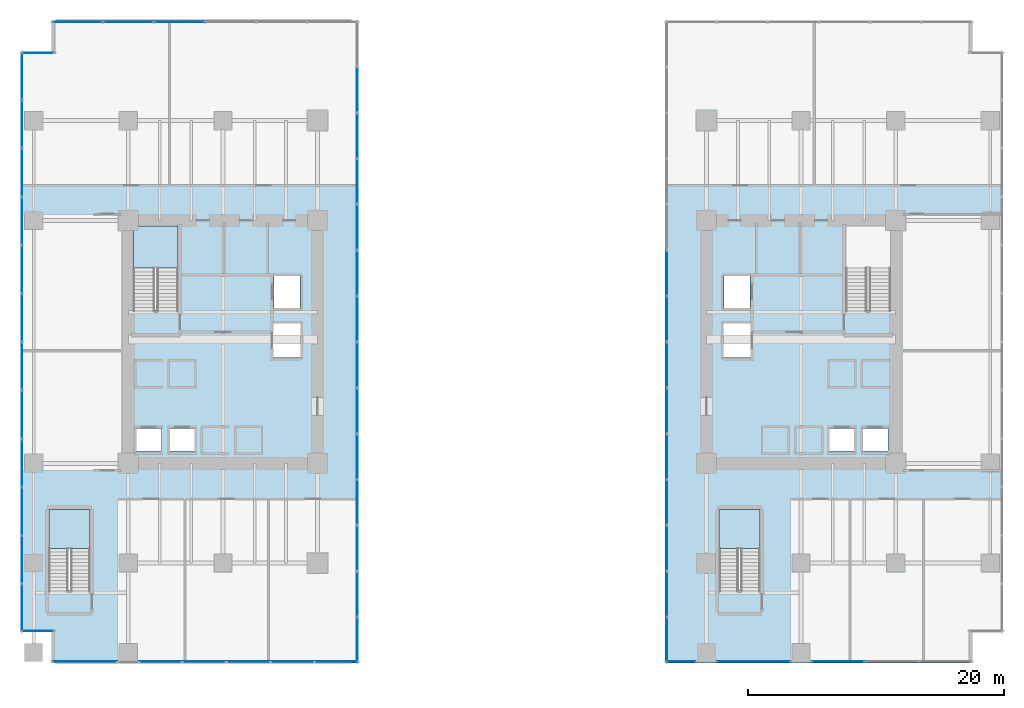
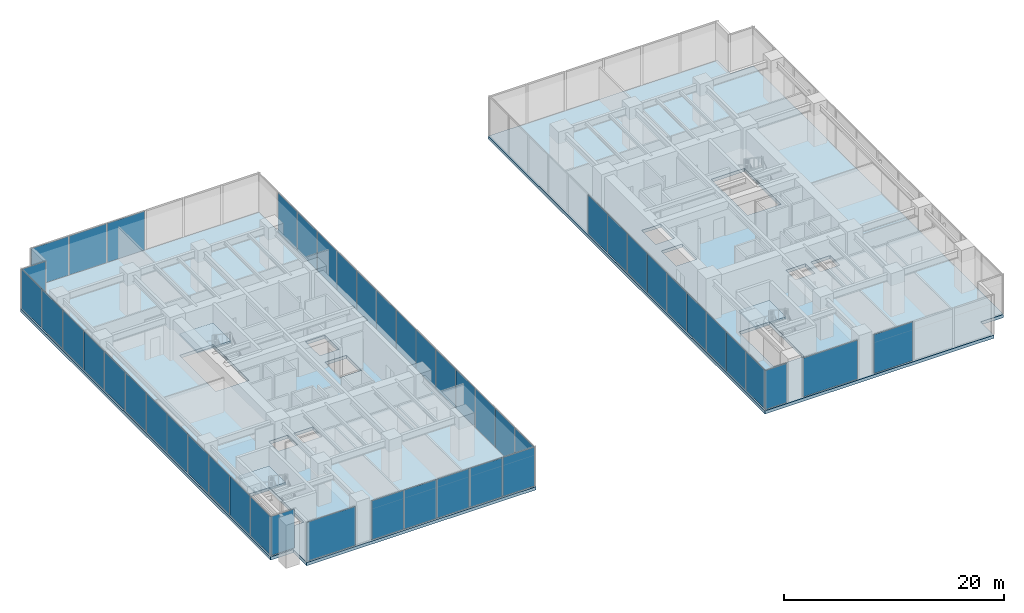
# One storey, part 23 of 33: 48 plates, 5 slabs, 14 elements without a shape of their own.
"""IFC4 building model written with IfcOpenShell, lengths in metres."""

from ifc_helpers import new_model, si_unit, direction, frame, origin, origin_2d, place, context, subcontext, project, spatial, polyline, rectangle, outline, extrude, source, transform, mapped, material, layer, layer_set, type_object, type_shapes, element, aggregate, save


model = new_model("IFC4")

# Units and contexts
model_context = context("Model", 3, precision=1e-05, world=origin(), true_north=direction((0.0, 1.0)))
body_context = subcontext(model_context, "Body", "Model", "MODEL_VIEW")
ifc_project = project(units=[si_unit("LENGTHUNIT", "METRE"), si_unit("AREAUNIT", "SQUARE_METRE"), si_unit("VOLUMEUNIT", "CUBIC_METRE"), si_unit("PLANEANGLEUNIT", "RADIAN"), si_unit("MASSUNIT", "GRAM", prefix="KILO")], contexts=[model_context])

# Site, building, storey
site_placement = place(None, origin())
site = spatial("IfcSite", under=ifc_project, at=site_placement, CompositionType="ELEMENT")
building_placement = place(site_placement, origin())
building = spatial("IfcBuilding", under=site, at=building_placement, Name="Haelvirn Gate Laboratories", CompositionType="ELEMENT")
storey_placement = place(building_placement, frame((0.0, 0.0, 10.199951171875)))
storey = spatial("IfcBuildingStorey", under=building, at=storey_placement, Name="L03", CompositionType="ELEMENT", Elevation=10.199951171875)

# Slabs
ifc_material_1 = material(Name="Concrete C50/60", Category="concrete")
ifc_layer_1 = layer(ifc_material_1, 0.35009765625, Name="SL-POD-350")
ifc_layer_set_1 = layer_set([ifc_layer_1], Name="Concrete C50/60")
slab_type_1 = type_object("IfcSlabType", Name="SL-POD-350", PredefinedType="FLOOR", material=ifc_layer_set_1)
slab_1_placement = place(storey_placement, frame((0.0, 0.0, -0.349853515625)))
element("IfcSlab", 1, at=slab_1_placement, inside=storey, type_object=slab_type_1, Name="L03 Structural Slab W", PredefinedType="FLOOR", context=body_context, shape_type="SweptSolid", body=[
    extrude(outline(polyline([(1.39990234375, -0.800048828125), (25.39990234375, -0.800048828125), (25.39990234375, 49.39990234375), (1.39990234375, 49.39990234375), (1.39990234375, 47.0), (-1.0, 47.0), (-1.0, 1.60009765625), (1.39990234375, 1.60009765625), (1.39990234375, -0.800048828125)]), holes=[polyline([(11.300048828125, 26.780029296875), (11.300048828125, 33.35009765625), (7.800048828125, 33.35009765625), (7.800048828125, 26.780029296875), (11.300048828125, 26.780029296875)]), polyline([(4.39990234375, 4.8798828125), (4.39990234375, 11.199951171875), (1.199951171875, 11.199951171875), (1.199951171875, 4.8798828125), (4.39990234375, 4.8798828125)]), polyline([(7.989990234375, 15.77001953125), (10.010009765625, 15.77001953125), (10.010009765625, 17.510009765625), (7.989990234375, 17.510009765625), (7.989990234375, 15.77001953125)]), polyline([(10.590087890625, 15.77001953125), (12.610107421875, 15.77001953125), (12.610107421875, 17.510009765625), (10.590087890625, 17.510009765625), (10.590087890625, 15.77001953125)]), polyline([(18.7900390625, 26.969970703125), (20.81005859375, 26.969970703125), (20.81005859375, 29.510009765625), (18.7900390625, 29.510009765625), (18.7900390625, 26.969970703125)]), polyline([(18.68994140625, 23.070068359375), (20.909912109375, 23.070068359375), (20.909912109375, 25.81005859375), (18.68994140625, 25.81005859375), (18.68994140625, 23.070068359375)])]), origin(), (0.0, 0.0, 1.0), 0.349853515625),
])
slab_2_placement = place(storey_placement, frame((0.0, 0.0, -0.349853515625)))
element("IfcSlab", 2, at=slab_2_placement, inside=storey, type_object=slab_type_1, Name="L03 Structural Slab E", PredefinedType="FLOOR", context=body_context, shape_type="SweptSolid", body=[
    extrude(outline(polyline([(49.39990234375, -0.800048828125), (73.39990234375, -0.800048828125), (73.39990234375, 1.60009765625), (75.800048828125, 1.60009765625), (75.800048828125, 47.0), (73.39990234375, 47.0), (73.39990234375, 49.39990234375), (49.39990234375, 49.39990234375), (49.39990234375, -0.800048828125)]), holes=[polyline([(67.0, 26.780029296875), (67.0, 33.35009765625), (63.5, 33.35009765625), (63.5, 26.780029296875), (67.0, 26.780029296875)]), polyline([(56.800048828125, 4.8798828125), (56.800048828125, 11.199951171875), (53.60009765625, 11.199951171875), (53.60009765625, 4.8798828125), (56.800048828125, 4.8798828125)]), polyline([(64.7900390625, 15.77001953125), (66.81005859375, 15.77001953125), (66.81005859375, 17.510009765625), (64.7900390625, 17.510009765625), (64.7900390625, 15.77001953125)]), polyline([(62.18994140625, 15.77001953125), (64.2099609375, 15.77001953125), (64.2099609375, 17.510009765625), (62.18994140625, 17.510009765625), (62.18994140625, 15.77001953125)]), polyline([(53.989990234375, 26.969970703125), (56.010009765625, 26.969970703125), (56.010009765625, 29.510009765625), (53.989990234375, 29.510009765625), (53.989990234375, 26.969970703125)]), polyline([(53.889892578125, 23.070068359375), (56.110107421875, 23.070068359375), (56.110107421875, 25.81005859375), (53.889892578125, 25.81005859375), (53.889892578125, 23.070068359375)])]), origin(), (0.0, 0.0, 1.0), 0.349853515625),
])

# Stair, slab
ifc_material_2 = material(Name="Concrete C40/50", Category="concrete")
stair_type_1 = type_object("IfcStairType", Name="ST-DOG-1650-R26", PredefinedType="HALF_TURN_STAIR", material=ifc_material_2)
stair_1_placement = place(storey_placement, origin())
stair_1 = element("IfcStair", 3, at=stair_1_placement, inside=storey, type_object=stair_type_1, Name="L03 Escape Stair ST1", PredefinedType="HALF_TURN_STAIR")
ifc_layer_2 = layer(ifc_material_2, 0.199951171875, Name="SL-STAIR-LND")
ifc_layer_set_2 = layer_set([ifc_layer_2], Name="Concrete C40/50")
slab_type_2 = type_object("IfcSlabType", Name="SL-STAIR-LND", PredefinedType="LANDING", material=ifc_layer_set_2)
slab_3_placement = place(storey_placement, frame((0.0, 0.0, 2.199951171875)))
slab_3 = element("IfcSlab", 4, at=slab_3_placement, type_object=slab_type_2, Name="ST1 landing 1", PredefinedType="LANDING", context=body_context, shape_type="SweptSolid", body=[
    extrude(outline(polyline([(11.300048828125, 30.06005859375), (11.300048828125, 33.35009765625), (7.800048828125, 33.35009765625), (7.800048828125, 30.06005859375), (11.300048828125, 30.06005859375)])), origin(), (0.0, 0.0, 1.0), 0.2001953125),
])
aggregate(stair_1, [slab_3])

stair_type_2 = type_object("IfcStairType", Name="ST-DOG-1500-R26", PredefinedType="HALF_TURN_STAIR", material=ifc_material_2)
stair_2_placement = place(storey_placement, origin())
stair_2 = element("IfcStair", 5, at=stair_2_placement, inside=storey, type_object=stair_type_2, Name="L03 Escape Stair ST3", PredefinedType="HALF_TURN_STAIR")
slab_4_placement = place(storey_placement, frame((0.0, 0.0, 2.199951171875)))
slab_4 = element("IfcSlab", 6, at=slab_4_placement, type_object=slab_type_2, Name="ST3 landing 1", PredefinedType="LANDING", context=body_context, shape_type="SweptSolid", body=[
    extrude(outline(polyline([(4.39990234375, 8.159912109375), (4.39990234375, 11.199951171875), (1.199951171875, 11.199951171875), (1.199951171875, 8.159912109375), (4.39990234375, 8.159912109375)])), origin(), (0.0, 0.0, 1.0), 0.2001953125),
])
aggregate(stair_2, [slab_4])

stair_3_placement = place(storey_placement, origin())
stair_3 = element("IfcStair", 7, at=stair_3_placement, inside=storey, type_object=stair_type_2, Name="L03 Escape Stair ST4", PredefinedType="HALF_TURN_STAIR")
slab_5_placement = place(storey_placement, frame((0.0, 0.0, 2.199951171875)))
slab_5 = element("IfcSlab", 8, at=slab_5_placement, type_object=slab_type_2, Name="ST4 landing 1", PredefinedType="LANDING", context=body_context, shape_type="SweptSolid", body=[
    extrude(outline(polyline([(56.800048828125, 8.159912109375), (56.800048828125, 11.199951171875), (53.60009765625, 11.199951171875), (53.60009765625, 8.159912109375), (56.800048828125, 8.159912109375)])), origin(), (0.0, 0.0, 1.0), 0.2001953125),
])
aggregate(stair_3, [slab_5])

# Curtain wall, plate
ifc_material_3 = material(Name="Anodised bronze unitised aluminium & triple low-E glass", Category="aluminium")
ifc_layer_3 = layer(ifc_material_3, 0.18798828125, Name="CW-SYS-1")
ifc_layer_set_3 = layer_set([ifc_layer_3], Name="Anodised bronze unitised aluminium & triple low-E glass")
curtain_wall_type_1 = type_object("IfcCurtainWallType", Name="CW-SYS-1", PredefinedType="NOTDEFINED", material=ifc_layer_set_3)
curtain_wall_1_placement = place(storey_placement, origin())
curtain_wall_1 = element("IfcCurtainWall", 9, at=curtain_wall_1_placement, inside=storey, type_object=curtain_wall_type_1, Name="L03 Unitised Curtain Wall CW-L03-P0-E00-1-S1", PredefinedType="NOTDEFINED")
ifc_material_4 = material(Name="Bronze solar-control triple low-E IGU 48 mm", Category="glass")
ifc_layer_4 = layer(ifc_material_4, 0.048095703125, Name="CWP-IGU-48")
ifc_layer_set_4 = layer_set([ifc_layer_4], Name="Bronze solar-control triple low-E IGU 48 mm")
plate_type_1 = type_object("IfcPlateType", Name="CWP-IGU-48", PredefinedType="CURTAIN_PANEL", material=ifc_layer_set_4)
shared_shape_1 = source(origin(), body_context, "Body", "SweptSolid", [
    extrude(rectangle(XDim=5.06005859375, YDim=0.048095703125, at=origin_2d()), origin(), (0.0, 0.0, 1.0), 4.31005859375),
])
plate_1_placement = place(storey_placement, frame((4.010009765625, -0.699951171875, 0.070068359375), z_axis=(0.0, 0.0, 1.0), x_axis=(1.0, 0.0, 0.0)))
plate_1 = element("IfcPlate", 10, at=plate_1_placement, type_object=plate_type_1, Name="CW1 panel 1.1", PredefinedType="CURTAIN_PANEL", context=body_context, shape_type="MappedRepresentation", body=[
    mapped(shared_shape_1, transform((0.0, 0.0, 0.0), scale=1.0)),
])
aggregate(curtain_wall_1, [plate_1])

# Curtain wall, plates
curtain_wall_2_placement = place(storey_placement, origin())
curtain_wall_2 = element("IfcCurtainWall", 11, at=curtain_wall_2_placement, inside=storey, type_object=curtain_wall_type_1, Name="L03 Unitised Curtain Wall CW-L03-P0-E00-1-S2", PredefinedType="NOTDEFINED")
shared_shape_2 = source(origin(), body_context, "Body", "SweptSolid", [
    extrude(rectangle(XDim=3.323974609375, YDim=0.048095703125, at=origin_2d()), origin(), (0.0, 0.0, 1.0), 4.31005859375),
])
plate_2_placement = place(storey_placement, frame((9.922119140625, -0.699951171875, 0.070068359375), z_axis=(0.0, 0.0, 1.0), x_axis=(1.0, 0.0, 0.0)))
plate_2 = element("IfcPlate", 12, at=plate_2_placement, type_object=plate_type_1, Name="CW1 panel 1.1", PredefinedType="CURTAIN_PANEL", context=body_context, shape_type="MappedRepresentation", body=[
    mapped(shared_shape_2, transform((0.0, 0.0, 0.0), scale=1.0)),
])
plate_3_placement = place(storey_placement, frame((23.657958984375, -0.699951171875, 0.070068359375), z_axis=(0.0, 0.0, 1.0), x_axis=(1.0, 0.0, 0.0)))
plate_3 = element("IfcPlate", 13, at=plate_3_placement, type_object=plate_type_1, Name="CW1 panel 5.1", PredefinedType="CURTAIN_PANEL", context=body_context, shape_type="MappedRepresentation", body=[
    mapped(shared_shape_2, transform((0.0, 0.0, 0.0), scale=1.0)),
])
shared_shape_3 = source(origin(), body_context, "Body", "SweptSolid", [
    extrude(rectangle(XDim=3.364013671875, YDim=0.048095703125, at=origin_2d()), origin(), (0.0, 0.0, 1.0), 4.31005859375),
])
plate_4_placement = place(storey_placement, frame((13.345947265625, -0.699951171875, 0.070068359375), z_axis=(0.0, 0.0, 1.0), x_axis=(1.0, 0.0, 0.0)))
plate_4 = element("IfcPlate", 14, at=plate_4_placement, type_object=plate_type_1, Name="CW1 panel 2.1", PredefinedType="CURTAIN_PANEL", context=body_context, shape_type="MappedRepresentation", body=[
    mapped(shared_shape_3, transform((0.0, 0.0, 0.0), scale=1.0)),
])
plate_5_placement = place(storey_placement, frame((16.7900390625, -0.699951171875, 0.070068359375), z_axis=(0.0, 0.0, 1.0), x_axis=(1.0, 0.0, 0.0)))
plate_5 = element("IfcPlate", 15, at=plate_5_placement, type_object=plate_type_1, Name="CW1 panel 3.1", PredefinedType="CURTAIN_PANEL", context=body_context, shape_type="MappedRepresentation", body=[
    mapped(shared_shape_3, transform((0.0, 0.0, 0.0), scale=1.0)),
])
plate_6_placement = place(storey_placement, frame((20.23388671875, -0.699951171875, 0.070068359375), z_axis=(0.0, 0.0, 1.0), x_axis=(1.0, 0.0, 0.0)))
plate_6 = element("IfcPlate", 16, at=plate_6_placement, type_object=plate_type_1, Name="CW1 panel 4.1", PredefinedType="CURTAIN_PANEL", context=body_context, shape_type="MappedRepresentation", body=[
    mapped(shared_shape_3, transform((0.0, 0.0, 0.0), scale=1.0)),
])
aggregate(curtain_wall_2, [plate_2, plate_4, plate_5, plate_6, plate_3])

# Curtain wall, plate
curtain_wall_3_placement = place(storey_placement, origin())
curtain_wall_3 = element("IfcCurtainWall", 17, at=curtain_wall_3_placement, inside=storey, type_object=curtain_wall_type_1, Name="L03 Unitised Curtain Wall CW-L03-P0-E01", PredefinedType="NOTDEFINED")
shared_shape_4 = source(origin(), body_context, "Body", "SweptSolid", [
    extrude(rectangle(XDim=3.4658203125, YDim=0.048095703125, at=origin_2d()), origin(), (0.0, 0.0, 1.0), 4.31005859375),
])
plate_7_placement = place(storey_placement, frame((25.300048828125, 1.012939453125, 0.070068359375), z_axis=(0.0, 0.0, 1.0), x_axis=(0.0, 1.0, 0.0)))
plate_7 = element("IfcPlate", 18, at=plate_7_placement, type_object=plate_type_1, Name="CW1 panel 1.1", PredefinedType="CURTAIN_PANEL", context=body_context, shape_type="MappedRepresentation", body=[
    mapped(shared_shape_4, transform((0.0, 0.0, 0.0), scale=1.0)),
])

curtain_wall_4_placement = place(storey_placement, origin())
curtain_wall_4 = element("IfcCurtainWall", 19, at=curtain_wall_4_placement, inside=storey, type_object=curtain_wall_type_1, Name="L03 Unitised Curtain Wall CW-L03-P1-E07", PredefinedType="NOTDEFINED")
plate_8_placement = place(storey_placement, frame((49.5, 1.012939453125, 0.070068359375), z_axis=(0.0, 0.0, 1.0), x_axis=(0.0, -1.0, 0.0)))
plate_8 = element("IfcPlate", 20, at=plate_8_placement, type_object=plate_type_1, Name="CW1 panel 14.1", PredefinedType="CURTAIN_PANEL", context=body_context, shape_type="MappedRepresentation", body=[
    mapped(shared_shape_4, transform((0.0, 0.0, 0.0), scale=1.0)),
])

# Plate
shared_shape_5 = source(origin(), body_context, "Body", "SweptSolid", [
    extrude(rectangle(XDim=3.505615234375, YDim=0.048095703125, at=origin_2d()), origin(), (0.0, 0.0, 1.0), 4.31005859375),
])
plate_9_placement = place(storey_placement, frame((25.300048828125, 4.57861328125, 0.070068359375), z_axis=(0.0, 0.0, 1.0), x_axis=(0.0, 1.0, 0.0)))
plate_9 = element("IfcPlate", 21, at=plate_9_placement, type_object=plate_type_1, Name="CW1 panel 2.1", PredefinedType="CURTAIN_PANEL", context=body_context, shape_type="MappedRepresentation", body=[
    mapped(shared_shape_5, transform((0.0, 0.0, 0.0), scale=1.0)),
])

plate_10_placement = place(storey_placement, frame((25.300048828125, 8.164306640625, 0.070068359375), z_axis=(0.0, 0.0, 1.0), x_axis=(0.0, 1.0, 0.0)))
plate_10 = element("IfcPlate", 22, at=plate_10_placement, type_object=plate_type_1, Name="CW1 panel 3.1", PredefinedType="CURTAIN_PANEL", context=body_context, shape_type="MappedRepresentation", body=[
    mapped(shared_shape_5, transform((0.0, 0.0, 0.0), scale=1.0)),
])

plate_11_placement = place(storey_placement, frame((25.300048828125, 11.75, 0.070068359375), z_axis=(0.0, 0.0, 1.0), x_axis=(0.0, 1.0, 0.0)))
plate_11 = element("IfcPlate", 23, at=plate_11_placement, type_object=plate_type_1, Name="CW1 panel 4.1", PredefinedType="CURTAIN_PANEL", context=body_context, shape_type="MappedRepresentation", body=[
    mapped(shared_shape_5, transform((0.0, 0.0, 0.0), scale=1.0)),
])

plate_12_placement = place(storey_placement, frame((25.300048828125, 15.335693359375, 0.070068359375), z_axis=(0.0, 0.0, 1.0), x_axis=(0.0, 1.0, 0.0)))
plate_12 = element("IfcPlate", 24, at=plate_12_placement, type_object=plate_type_1, Name="CW1 panel 5.1", PredefinedType="CURTAIN_PANEL", context=body_context, shape_type="MappedRepresentation", body=[
    mapped(shared_shape_5, transform((0.0, 0.0, 0.0), scale=1.0)),
])

plate_13_placement = place(storey_placement, frame((25.300048828125, 18.92138671875, 0.070068359375), z_axis=(0.0, 0.0, 1.0), x_axis=(0.0, 1.0, 0.0)))
plate_13 = element("IfcPlate", 25, at=plate_13_placement, type_object=plate_type_1, Name="CW1 panel 6.1", PredefinedType="CURTAIN_PANEL", context=body_context, shape_type="MappedRepresentation", body=[
    mapped(shared_shape_5, transform((0.0, 0.0, 0.0), scale=1.0)),
])

plate_14_placement = place(storey_placement, frame((25.300048828125, 22.507080078125, 0.070068359375), z_axis=(0.0, 0.0, 1.0), x_axis=(0.0, 1.0, 0.0)))
plate_14 = element("IfcPlate", 26, at=plate_14_placement, type_object=plate_type_1, Name="CW1 panel 7.1", PredefinedType="CURTAIN_PANEL", context=body_context, shape_type="MappedRepresentation", body=[
    mapped(shared_shape_5, transform((0.0, 0.0, 0.0), scale=1.0)),
])

plate_15_placement = place(storey_placement, frame((25.300048828125, 26.0927734375, 0.070068359375), z_axis=(0.0, 0.0, 1.0), x_axis=(0.0, 1.0, 0.0)))
plate_15 = element("IfcPlate", 27, at=plate_15_placement, type_object=plate_type_1, Name="CW1 panel 8.1", PredefinedType="CURTAIN_PANEL", context=body_context, shape_type="MappedRepresentation", body=[
    mapped(shared_shape_5, transform((0.0, 0.0, 0.0), scale=1.0)),
])

plate_16_placement = place(storey_placement, frame((25.300048828125, 29.678466796875, 0.070068359375), z_axis=(0.0, 0.0, 1.0), x_axis=(0.0, 1.0, 0.0)))
plate_16 = element("IfcPlate", 28, at=plate_16_placement, type_object=plate_type_1, Name="CW1 panel 9.1", PredefinedType="CURTAIN_PANEL", context=body_context, shape_type="MappedRepresentation", body=[
    mapped(shared_shape_5, transform((0.0, 0.0, 0.0), scale=1.0)),
])

plate_17_placement = place(storey_placement, frame((25.300048828125, 33.264404296875, 0.070068359375), z_axis=(0.0, 0.0, 1.0), x_axis=(0.0, 1.0, 0.0)))
plate_17 = element("IfcPlate", 29, at=plate_17_placement, type_object=plate_type_1, Name="CW1 panel 10.1", PredefinedType="CURTAIN_PANEL", context=body_context, shape_type="MappedRepresentation", body=[
    mapped(shared_shape_5, transform((0.0, 0.0, 0.0), scale=1.0)),
])

plate_18_placement = place(storey_placement, frame((25.300048828125, 36.85009765625, 0.070068359375), z_axis=(0.0, 0.0, 1.0), x_axis=(0.0, 1.0, 0.0)))
plate_18 = element("IfcPlate", 30, at=plate_18_placement, type_object=plate_type_1, Name="CW1 panel 11.1", PredefinedType="CURTAIN_PANEL", context=body_context, shape_type="MappedRepresentation", body=[
    mapped(shared_shape_5, transform((0.0, 0.0, 0.0), scale=1.0)),
])

plate_19_placement = place(storey_placement, frame((25.300048828125, 40.435791015625, 0.070068359375), z_axis=(0.0, 0.0, 1.0), x_axis=(0.0, 1.0, 0.0)))
plate_19 = element("IfcPlate", 31, at=plate_19_placement, type_object=plate_type_1, Name="CW1 panel 12.1", PredefinedType="CURTAIN_PANEL", context=body_context, shape_type="MappedRepresentation", body=[
    mapped(shared_shape_5, transform((0.0, 0.0, 0.0), scale=1.0)),
])

plate_20_placement = place(storey_placement, frame((25.300048828125, 44.021484375, 0.070068359375), z_axis=(0.0, 0.0, 1.0), x_axis=(0.0, 1.0, 0.0)))
plate_20 = element("IfcPlate", 32, at=plate_20_placement, type_object=plate_type_1, Name="CW1 panel 13.1", PredefinedType="CURTAIN_PANEL", context=body_context, shape_type="MappedRepresentation", body=[
    mapped(shared_shape_5, transform((0.0, 0.0, 0.0), scale=1.0)),
])

aggregate(curtain_wall_3, [plate_7, plate_9, plate_10, plate_11, plate_12, plate_13, plate_14, plate_15, plate_16, plate_17, plate_18, plate_19, plate_20])

plate_21_placement = place(storey_placement, frame((49.5, 29.678466796875, 0.070068359375), z_axis=(0.0, 0.0, 1.0), x_axis=(0.0, -1.0, 0.0)))
plate_21 = element("IfcPlate", 33, at=plate_21_placement, type_object=plate_type_1, Name="CW1 panel 6.1", PredefinedType="CURTAIN_PANEL", context=body_context, shape_type="MappedRepresentation", body=[
    mapped(shared_shape_5, transform((0.0, 0.0, 0.0), scale=1.0)),
])

plate_22_placement = place(storey_placement, frame((49.5, 26.0927734375, 0.070068359375), z_axis=(0.0, 0.0, 1.0), x_axis=(0.0, -1.0, 0.0)))
plate_22 = element("IfcPlate", 34, at=plate_22_placement, type_object=plate_type_1, Name="CW1 panel 7.1", PredefinedType="CURTAIN_PANEL", context=body_context, shape_type="MappedRepresentation", body=[
    mapped(shared_shape_5, transform((0.0, 0.0, 0.0), scale=1.0)),
])

plate_23_placement = place(storey_placement, frame((49.5, 22.507080078125, 0.070068359375), z_axis=(0.0, 0.0, 1.0), x_axis=(0.0, -1.0, 0.0)))
plate_23 = element("IfcPlate", 35, at=plate_23_placement, type_object=plate_type_1, Name="CW1 panel 8.1", PredefinedType="CURTAIN_PANEL", context=body_context, shape_type="MappedRepresentation", body=[
    mapped(shared_shape_5, transform((0.0, 0.0, 0.0), scale=1.0)),
])

plate_24_placement = place(storey_placement, frame((49.5, 18.92138671875, 0.070068359375), z_axis=(0.0, 0.0, 1.0), x_axis=(0.0, -1.0, 0.0)))
plate_24 = element("IfcPlate", 36, at=plate_24_placement, type_object=plate_type_1, Name="CW1 panel 9.1", PredefinedType="CURTAIN_PANEL", context=body_context, shape_type="MappedRepresentation", body=[
    mapped(shared_shape_5, transform((0.0, 0.0, 0.0), scale=1.0)),
])

plate_25_placement = place(storey_placement, frame((49.5, 15.335693359375, 0.070068359375), z_axis=(0.0, 0.0, 1.0), x_axis=(0.0, -1.0, 0.0)))
plate_25 = element("IfcPlate", 37, at=plate_25_placement, type_object=plate_type_1, Name="CW1 panel 10.1", PredefinedType="CURTAIN_PANEL", context=body_context, shape_type="MappedRepresentation", body=[
    mapped(shared_shape_5, transform((0.0, 0.0, 0.0), scale=1.0)),
])

plate_26_placement = place(storey_placement, frame((49.5, 11.75, 0.070068359375), z_axis=(0.0, 0.0, 1.0), x_axis=(0.0, -1.0, 0.0)))
plate_26 = element("IfcPlate", 38, at=plate_26_placement, type_object=plate_type_1, Name="CW1 panel 11.1", PredefinedType="CURTAIN_PANEL", context=body_context, shape_type="MappedRepresentation", body=[
    mapped(shared_shape_5, transform((0.0, 0.0, 0.0), scale=1.0)),
])

plate_27_placement = place(storey_placement, frame((49.5, 8.164306640625, 0.070068359375), z_axis=(0.0, 0.0, 1.0), x_axis=(0.0, -1.0, 0.0)))
plate_27 = element("IfcPlate", 39, at=plate_27_placement, type_object=plate_type_1, Name="CW1 panel 12.1", PredefinedType="CURTAIN_PANEL", context=body_context, shape_type="MappedRepresentation", body=[
    mapped(shared_shape_5, transform((0.0, 0.0, 0.0), scale=1.0)),
])

plate_28_placement = place(storey_placement, frame((49.5, 4.57861328125, 0.070068359375), z_axis=(0.0, 0.0, 1.0), x_axis=(0.0, -1.0, 0.0)))
plate_28 = element("IfcPlate", 40, at=plate_28_placement, type_object=plate_type_1, Name="CW1 panel 13.1", PredefinedType="CURTAIN_PANEL", context=body_context, shape_type="MappedRepresentation", body=[
    mapped(shared_shape_5, transform((0.0, 0.0, 0.0), scale=1.0)),
])

aggregate(curtain_wall_4, [plate_21, plate_22, plate_23, plate_24, plate_25, plate_26, plate_27, plate_28, plate_8])

# Curtain wall, plates
curtain_wall_5_placement = place(storey_placement, origin())
curtain_wall_5 = element("IfcCurtainWall", 41, at=curtain_wall_5_placement, inside=storey, type_object=curtain_wall_type_1, Name="L03 Unitised Curtain Wall CW-L03-P0-E02-1", PredefinedType="NOTDEFINED")
shared_shape_6 = source(origin(), body_context, "Body", "SweptSolid", [
    extrude(rectangle(XDim=3.8798828125, YDim=0.048095703125, at=origin_2d()), origin(), (0.0, 0.0, 1.0), 4.31005859375),
])
plate_29_placement = place(storey_placement, frame((3.419921875, 49.300048828125, 0.070068359375), z_axis=(0.0, 0.0, 1.0), x_axis=(1.0, 0.0, 0.0)))
plate_29 = element("IfcPlate", 42, at=plate_29_placement, type_object=plate_type_1, Name="CW1 panel 1.1", PredefinedType="CURTAIN_PANEL", context=body_context, shape_type="MappedRepresentation", body=[
    mapped(shared_shape_6, transform((0.0, 0.0, 0.0), scale=1.0)),
])
shared_shape_7 = source(origin(), body_context, "Body", "SweptSolid", [
    extrude(rectangle(XDim=3.919921875, YDim=0.048095703125, at=origin_2d()), origin(), (0.0, 0.0, 1.0), 4.31005859375),
])
plate_30_placement = place(storey_placement, frame((7.39990234375, 49.300048828125, 0.070068359375), z_axis=(0.0, 0.0, 1.0), x_axis=(1.0, 0.0, 0.0)))
plate_30 = element("IfcPlate", 43, at=plate_30_placement, type_object=plate_type_1, Name="CW1 panel 2.1", PredefinedType="CURTAIN_PANEL", context=body_context, shape_type="MappedRepresentation", body=[
    mapped(shared_shape_7, transform((0.0, 0.0, 0.0), scale=1.0)),
])
plate_31_placement = place(storey_placement, frame((11.39990234375, 49.300048828125, 0.070068359375), z_axis=(0.0, 0.0, 1.0), x_axis=(1.0, 0.0, 0.0)))
plate_31 = element("IfcPlate", 44, at=plate_31_placement, type_object=plate_type_1, Name="CW1 panel 3.1", PredefinedType="CURTAIN_PANEL", context=body_context, shape_type="MappedRepresentation", body=[
    mapped(shared_shape_7, transform((0.0, 0.0, 0.0), scale=1.0)),
])
aggregate(curtain_wall_5, [plate_29, plate_30, plate_31])

# Curtain wall, plate
ifc_layer_5 = layer(ifc_material_3, 0.181884765625, Name="CW-SYS-5")
ifc_layer_set_5 = layer_set([ifc_layer_5], Name="Anodised bronze unitised aluminium & triple low-E glass")
curtain_wall_type_2 = type_object("IfcCurtainWallType", Name="CW-SYS-5", PredefinedType="NOTDEFINED", material=ifc_layer_set_5)
curtain_wall_6_placement = place(storey_placement, origin())
curtain_wall_6 = element("IfcCurtainWall", 45, at=curtain_wall_6_placement, inside=storey, type_object=curtain_wall_type_2, Name="L03 Unitised Curtain Wall CW-L03-P0-E04-1", PredefinedType="NOTDEFINED")
ifc_material_5 = material(Name="Clear low-iron notched-corner triple IGU 42 mm", Category="glass")
ifc_layer_6 = layer(ifc_material_5, 0.0419921875, Name="CWP-NTC-42")
ifc_layer_set_6 = layer_set([ifc_layer_6], Name="Clear low-iron notched-corner triple IGU 42 mm")
plate_type_2 = type_object("IfcPlateType", Name="CWP-NTC-42", PredefinedType="CURTAIN_PANEL", material=ifc_layer_set_6)
shared_shape_8 = source(origin(), body_context, "Body", "SweptSolid", [
    extrude(rectangle(XDim=2.47998046875, YDim=0.0419921875, at=origin_2d()), origin(), (0.0, 0.0, 1.0), 4.320068359375),
])
type_shapes(plate_type_2, [shared_shape_8])
plate_32_placement = place(storey_placement, frame((0.320068359375, 46.89990234375, 0.06494140625), z_axis=(0.0, 0.0, 1.0), x_axis=(1.0, 0.0, 0.0)))
plate_32 = element("IfcPlate", 46, at=plate_32_placement, type_object=plate_type_2, Name="CW5 panel 1.1", PredefinedType="CURTAIN_PANEL", context=body_context, shape_type="MappedRepresentation", body=[
    mapped(shared_shape_8, transform((0.0, 0.0, 0.0), scale=1.0)),
])
aggregate(curtain_wall_6, [plate_32])

curtain_wall_7_placement = place(storey_placement, origin())
curtain_wall_7 = element("IfcCurtainWall", 47, at=curtain_wall_7_placement, inside=storey, type_object=curtain_wall_type_2, Name="L03 Unitised Curtain Wall CW-L03-P0-E06-1", PredefinedType="NOTDEFINED")
plate_33_placement = place(storey_placement, frame((0.320068359375, 1.699951171875, 0.06494140625), z_axis=(0.0, 0.0, 1.0), x_axis=(1.0, 0.0, 0.0)))
plate_33 = element("IfcPlate", 48, at=plate_33_placement, type_object=plate_type_2, Name="CW5 panel 1.1", PredefinedType="CURTAIN_PANEL", context=body_context, shape_type="MappedRepresentation", body=[
    mapped(shared_shape_8, transform((0.0, 0.0, 0.0), scale=1.0)),
])
aggregate(curtain_wall_7, [plate_33])

# Curtain wall, plates
curtain_wall_8_placement = place(storey_placement, origin())
curtain_wall_8 = element("IfcCurtainWall", 49, at=curtain_wall_8_placement, inside=storey, type_object=curtain_wall_type_1, Name="L03 Unitised Curtain Wall CW-L03-P0-E05", PredefinedType="NOTDEFINED")
shared_shape_9 = source(origin(), body_context, "Body", "SweptSolid", [
    extrude(rectangle(XDim=3.663330078125, YDim=0.048095703125, at=origin_2d()), origin(), (0.0, 0.0, 1.0), 4.31005859375),
])
plate_34_placement = place(storey_placement, frame((-0.89990234375, 45.08837890625, 0.070068359375), z_axis=(0.0, 0.0, 1.0), x_axis=(0.0, -1.0, 0.0)))
plate_34 = element("IfcPlate", 50, at=plate_34_placement, type_object=plate_type_1, Name="CW1 panel 1.1", PredefinedType="CURTAIN_PANEL", context=body_context, shape_type="MappedRepresentation", body=[
    mapped(shared_shape_9, transform((0.0, 0.0, 0.0), scale=1.0)),
])
plate_35_placement = place(storey_placement, frame((-0.89990234375, 3.51171875, 0.070068359375), z_axis=(0.0, 0.0, 1.0), x_axis=(0.0, -1.0, 0.0)))
plate_35 = element("IfcPlate", 51, at=plate_35_placement, type_object=plate_type_1, Name="CW1 panel 12.1", PredefinedType="CURTAIN_PANEL", context=body_context, shape_type="MappedRepresentation", body=[
    mapped(shared_shape_9, transform((0.0, 0.0, 0.0), scale=1.0)),
])
shared_shape_10 = source(origin(), body_context, "Body", "SweptSolid", [
    extrude(rectangle(XDim=3.703369140625, YDim=0.048095703125, at=origin_2d()), origin(), (0.0, 0.0, 1.0), 4.31005859375),
])
plate_36_placement = place(storey_placement, frame((-0.89990234375, 41.324951171875, 0.070068359375), z_axis=(0.0, 0.0, 1.0), x_axis=(0.0, -1.0, 0.0)))
plate_36 = element("IfcPlate", 52, at=plate_36_placement, type_object=plate_type_1, Name="CW1 panel 2.1", PredefinedType="CURTAIN_PANEL", context=body_context, shape_type="MappedRepresentation", body=[
    mapped(shared_shape_10, transform((0.0, 0.0, 0.0), scale=1.0)),
])
plate_37_placement = place(storey_placement, frame((-0.89990234375, 37.541748046875, 0.070068359375), z_axis=(0.0, 0.0, 1.0), x_axis=(0.0, -1.0, 0.0)))
plate_37 = element("IfcPlate", 53, at=plate_37_placement, type_object=plate_type_1, Name="CW1 panel 3.1", PredefinedType="CURTAIN_PANEL", context=body_context, shape_type="MappedRepresentation", body=[
    mapped(shared_shape_10, transform((0.0, 0.0, 0.0), scale=1.0)),
])
plate_38_placement = place(storey_placement, frame((-0.89990234375, 33.75830078125, 0.070068359375), z_axis=(0.0, 0.0, 1.0), x_axis=(0.0, -1.0, 0.0)))
plate_38 = element("IfcPlate", 54, at=plate_38_placement, type_object=plate_type_1, Name="CW1 panel 4.1", PredefinedType="CURTAIN_PANEL", context=body_context, shape_type="MappedRepresentation", body=[
    mapped(shared_shape_10, transform((0.0, 0.0, 0.0), scale=1.0)),
])
plate_39_placement = place(storey_placement, frame((-0.89990234375, 29.97509765625, 0.070068359375), z_axis=(0.0, 0.0, 1.0), x_axis=(0.0, -1.0, 0.0)))
plate_39 = element("IfcPlate", 55, at=plate_39_placement, type_object=plate_type_1, Name="CW1 panel 5.1", PredefinedType="CURTAIN_PANEL", context=body_context, shape_type="MappedRepresentation", body=[
    mapped(shared_shape_10, transform((0.0, 0.0, 0.0), scale=1.0)),
])
plate_40_placement = place(storey_placement, frame((-0.89990234375, 26.191650390625, 0.070068359375), z_axis=(0.0, 0.0, 1.0), x_axis=(0.0, -1.0, 0.0)))
plate_40 = element("IfcPlate", 56, at=plate_40_placement, type_object=plate_type_1, Name="CW1 panel 6.1", PredefinedType="CURTAIN_PANEL", context=body_context, shape_type="MappedRepresentation", body=[
    mapped(shared_shape_10, transform((0.0, 0.0, 0.0), scale=1.0)),
])
plate_41_placement = place(storey_placement, frame((-0.89990234375, 22.408447265625, 0.070068359375), z_axis=(0.0, 0.0, 1.0), x_axis=(0.0, -1.0, 0.0)))
plate_41 = element("IfcPlate", 57, at=plate_41_placement, type_object=plate_type_1, Name="CW1 panel 7.1", PredefinedType="CURTAIN_PANEL", context=body_context, shape_type="MappedRepresentation", body=[
    mapped(shared_shape_10, transform((0.0, 0.0, 0.0), scale=1.0)),
])
plate_42_placement = place(storey_placement, frame((-0.89990234375, 18.625, 0.070068359375), z_axis=(0.0, 0.0, 1.0), x_axis=(0.0, -1.0, 0.0)))
plate_42 = element("IfcPlate", 58, at=plate_42_placement, type_object=plate_type_1, Name="CW1 panel 8.1", PredefinedType="CURTAIN_PANEL", context=body_context, shape_type="MappedRepresentation", body=[
    mapped(shared_shape_10, transform((0.0, 0.0, 0.0), scale=1.0)),
])
plate_43_placement = place(storey_placement, frame((-0.89990234375, 14.841552734375, 0.070068359375), z_axis=(0.0, 0.0, 1.0), x_axis=(0.0, -1.0, 0.0)))
plate_43 = element("IfcPlate", 59, at=plate_43_placement, type_object=plate_type_1, Name="CW1 panel 9.1", PredefinedType="CURTAIN_PANEL", context=body_context, shape_type="MappedRepresentation", body=[
    mapped(shared_shape_10, transform((0.0, 0.0, 0.0), scale=1.0)),
])
plate_44_placement = place(storey_placement, frame((-0.89990234375, 11.058349609375, 0.070068359375), z_axis=(0.0, 0.0, 1.0), x_axis=(0.0, -1.0, 0.0)))
plate_44 = element("IfcPlate", 60, at=plate_44_placement, type_object=plate_type_1, Name="CW1 panel 10.1", PredefinedType="CURTAIN_PANEL", context=body_context, shape_type="MappedRepresentation", body=[
    mapped(shared_shape_10, transform((0.0, 0.0, 0.0), scale=1.0)),
])
plate_45_placement = place(storey_placement, frame((-0.89990234375, 7.27490234375, 0.070068359375), z_axis=(0.0, 0.0, 1.0), x_axis=(0.0, -1.0, 0.0)))
plate_45 = element("IfcPlate", 61, at=plate_45_placement, type_object=plate_type_1, Name="CW1 panel 11.1", PredefinedType="CURTAIN_PANEL", context=body_context, shape_type="MappedRepresentation", body=[
    mapped(shared_shape_10, transform((0.0, 0.0, 0.0), scale=1.0)),
])
aggregate(curtain_wall_8, [plate_34, plate_36, plate_37, plate_38, plate_39, plate_40, plate_41, plate_42, plate_43, plate_44, plate_45, plate_35])

# Curtain wall, plate
curtain_wall_9_placement = place(storey_placement, origin())
curtain_wall_9 = element("IfcCurtainWall", 62, at=curtain_wall_9_placement, inside=storey, type_object=curtain_wall_type_1, Name="L03 Unitised Curtain Wall CW-L03-P1-E00-1-S1", PredefinedType="NOTDEFINED")
shared_shape_11 = source(origin(), body_context, "Body", "SweptSolid", [
    extrude(rectangle(XDim=2.260009765625, YDim=0.048095703125, at=origin_2d()), origin(), (0.0, 0.0, 1.0), 4.31005859375),
])
plate_46_placement = place(storey_placement, frame((50.610107421875, -0.699951171875, 0.070068359375), z_axis=(0.0, 0.0, 1.0), x_axis=(1.0, 0.0, 0.0)))
plate_46 = element("IfcPlate", 63, at=plate_46_placement, type_object=plate_type_1, Name="CW1 panel 1.1", PredefinedType="CURTAIN_PANEL", context=body_context, shape_type="MappedRepresentation", body=[
    mapped(shared_shape_11, transform((0.0, 0.0, 0.0), scale=1.0)),
])
aggregate(curtain_wall_9, [plate_46])

curtain_wall_10_placement = place(storey_placement, origin())
curtain_wall_10 = element("IfcCurtainWall", 64, at=curtain_wall_10_placement, inside=storey, type_object=curtain_wall_type_1, Name="L03 Unitised Curtain Wall CW-L03-P1-E00-1-S2", PredefinedType="NOTDEFINED")
shared_shape_12 = source(origin(), body_context, "Body", "SweptSolid", [
    extrude(rectangle(XDim=5.679931640625, YDim=0.048095703125, at=origin_2d()), origin(), (0.0, 0.0, 1.0), 4.31005859375),
])
plate_47_placement = place(storey_placement, frame((56.300048828125, -0.699951171875, 0.070068359375), z_axis=(0.0, 0.0, 1.0), x_axis=(1.0, 0.0, 0.0)))
plate_47 = element("IfcPlate", 65, at=plate_47_placement, type_object=plate_type_1, Name="CW1 panel 1.1", PredefinedType="CURTAIN_PANEL", context=body_context, shape_type="MappedRepresentation", body=[
    mapped(shared_shape_12, transform((0.0, 0.0, 0.0), scale=1.0)),
])
aggregate(curtain_wall_10, [plate_47])

curtain_wall_11_placement = place(storey_placement, origin())
curtain_wall_11 = element("IfcCurtainWall", 66, at=curtain_wall_11_placement, inside=storey, type_object=curtain_wall_type_1, Name="L03 Unitised Curtain Wall CW-L03-P1-E00-1-S3", PredefinedType="NOTDEFINED")
shared_shape_13 = source(origin(), body_context, "Body", "SweptSolid", [
    extrude(rectangle(XDim=4.086669921875, YDim=0.048095703125, at=origin_2d()), origin(), (0.0, 0.0, 1.0), 4.31005859375),
])
type_shapes(plate_type_1, [shared_shape_1, shared_shape_2, shared_shape_3, shared_shape_4, shared_shape_5, shared_shape_6, shared_shape_7, shared_shape_9, shared_shape_10, shared_shape_11, shared_shape_12, shared_shape_13])
plate_48_placement = place(storey_placement, frame((62.9033203125, -0.699951171875, 0.070068359375), z_axis=(0.0, 0.0, 1.0), x_axis=(1.0, 0.0, 0.0)))
plate_48 = element("IfcPlate", 67, at=plate_48_placement, type_object=plate_type_1, Name="CW1 panel 1.1", PredefinedType="CURTAIN_PANEL", context=body_context, shape_type="MappedRepresentation", body=[
    mapped(shared_shape_13, transform((0.0, 0.0, 0.0), scale=1.0)),
])
aggregate(curtain_wall_11, [plate_48])

save(model, "model.ifc")
